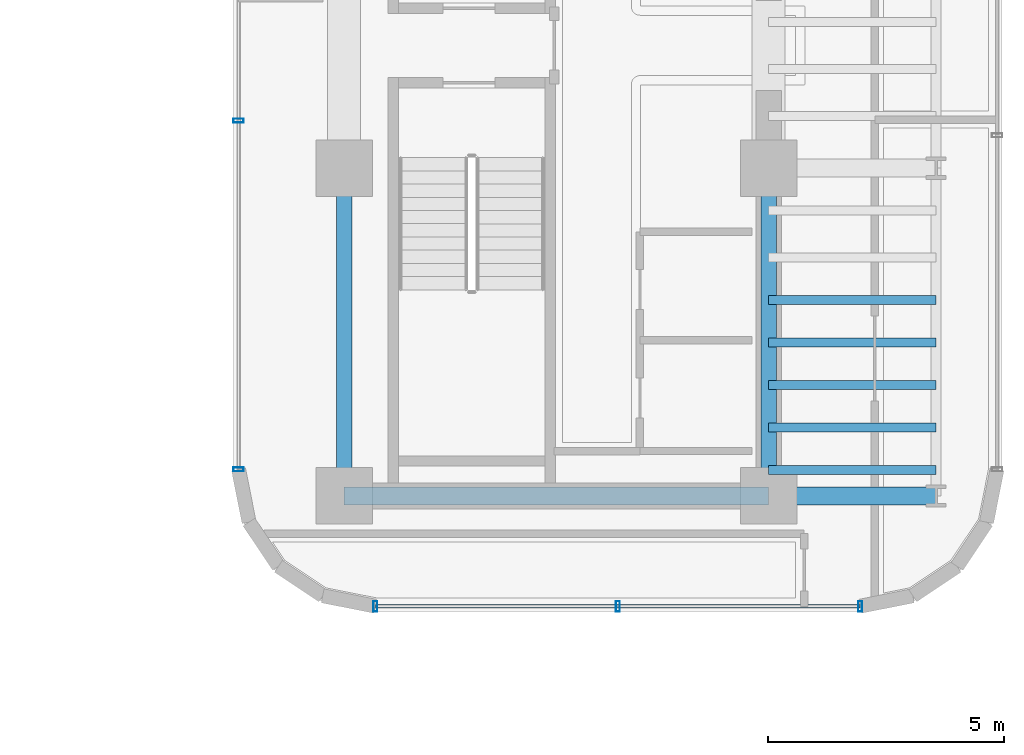
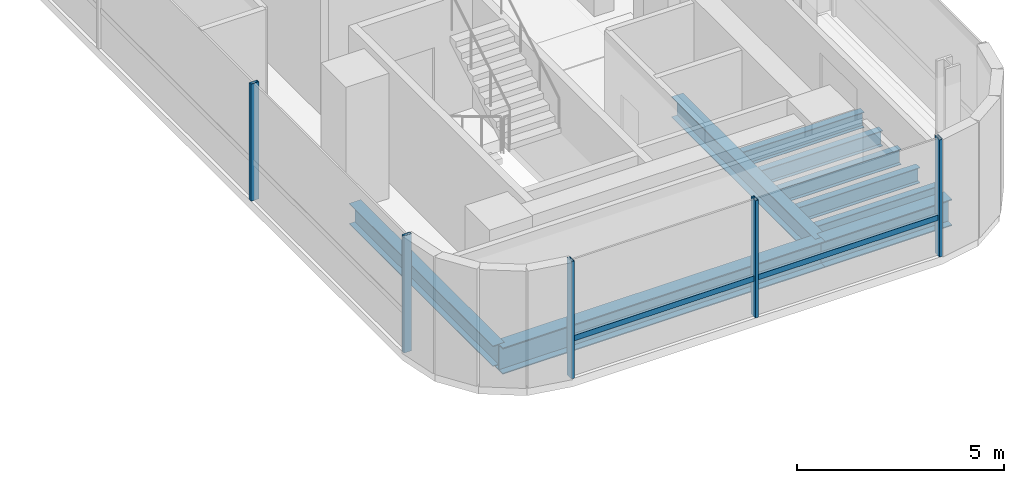
# One storey, part 13 of 34: 9 beams, 6 members, 2 elements without a shape of their own.
"""IFC4 building model written with IfcOpenShell, lengths in metres."""

from ifc_helpers import new_model, si_unit, direction, frame, origin, origin_2d, place, context, subcontext, project, spatial, hollow_rectangle, i_section, extrude, source, transform, mapped, material, material_profile, profile_set, type_object, element, aggregate, save


model = new_model("IFC4")

# Units and contexts
model_context = context("Model", 3, precision=1e-05, world=origin(), true_north=direction((0.0, 1.0)))
body_context = subcontext(model_context, "Body", "Model", "MODEL_VIEW")
ifc_project = project(units=[si_unit("LENGTHUNIT", "METRE"), si_unit("AREAUNIT", "SQUARE_METRE"), si_unit("VOLUMEUNIT", "CUBIC_METRE"), si_unit("PLANEANGLEUNIT", "RADIAN"), si_unit("MASSUNIT", "GRAM", prefix="KILO")], contexts=[model_context])

# Site, building, storey
site_placement = place(None, origin())
site = spatial("IfcSite", under=ifc_project, at=site_placement, CompositionType="ELEMENT")
building_placement = place(site_placement, origin())
building = spatial("IfcBuilding", under=site, at=building_placement, Name="Valdorenza Pilgrim Sanctuary Tower", CompositionType="ELEMENT")
storey_placement = place(building_placement, frame((0.0, 0.0, 161.199951171875)))
storey = spatial("IfcBuildingStorey", under=building, at=storey_placement, Name="L41", CompositionType="ELEMENT", Elevation=161.199951171875)

# Beams
ifc_material_1 = material(Name="Steel ASTM A992 Grade 50", Category="steel")
ifc_material_profile_1 = material_profile(ifc_material_1, i_section(OverallWidth=0.323974609375, OverallDepth=0.611083984375, WebThickness=0.0126953125, FlangeThickness=0.01904296875, at=origin_2d()), Name="W24X104")
ifc_profile_set_1 = profile_set([ifc_material_profile_1], Name="Steel ASTM A992 Grade 50")
beam_type_1 = type_object("IfcBeamType", Name="STR-BM-GRD-W24B", PredefinedType="BEAM", material=ifc_profile_set_1)
shared_shape_1 = source(origin(), body_context, "Body", "SweptSolid", [
    extrude(i_section(OverallWidth=0.323974609375, OverallDepth=0.611083984375, WebThickness=0.0126953125, FlangeThickness=0.01904296875, at=origin_2d()), origin(), (0.0, 0.0, 1.0), 6.949951171875),
])
for number, where, z_axis, x_axis, name in (
    (1, (15.85009765625, -9.550048828125, -0.54541015625), (0.0, 1.0, 0.0), (-1.0, 0.0, 0.0), "L41 Core Tie Girder CB-W-S1M0"),
    (2, (24.85009765625, -9.550048828125, -0.54541015625), (0.0, 1.0, 0.0), (-1.0, 0.0, 0.0), "L41 Core Tie Girder CB-E-S1M0"),
):
    element("IfcBeam", number, at=place(storey_placement, frame(where, z_axis=z_axis, x_axis=x_axis)), inside=storey, type_object=beam_type_1, Name=name, PredefinedType="BEAM", context=body_context, shape_type="MappedRepresentation", body=[
        mapped(shared_shape_1, transform((0.0, 0.0, 0.0), x_axis=(1.0, 0.0, 0.0), y_axis=(0.0, 1.0, 0.0), z_axis=(0.0, 0.0, 1.0), scale=1.0)),
    ])
ifc_material_profile_2 = material_profile(ifc_material_1, i_section(OverallWidth=0.382080078125, OverallDepth=0.779052734375, WebThickness=0.01806640625, FlangeThickness=0.030029296875, at=origin_2d()), Name="W30X191")
ifc_profile_set_2 = profile_set([ifc_material_profile_2], Name="Steel ASTM A992 Grade 50")
beam_type_2 = type_object("IfcBeamType", Name="STR-BM-GRD-W30", PredefinedType="BEAM", material=ifc_profile_set_2)
shared_shape_2 = source(origin(), body_context, "Body", "SweptSolid", [
    extrude(i_section(OverallWidth=0.382080078125, OverallDepth=0.779052734375, WebThickness=0.01806640625, FlangeThickness=0.030029296875, at=origin_2d()), origin(), (0.0, 0.0, 1.0), 9.0),
])
beam_1_placement = place(storey_placement, frame((15.85009765625, -9.550048828125, -0.62939453125), z_axis=(1.0, 0.0, 0.0), x_axis=(0.0, 1.0, 0.0)))
element("IfcBeam", 3, at=beam_1_placement, inside=storey, type_object=beam_type_2, Name="L41 Floor Girder CB-XC-S1", PredefinedType="BEAM", context=body_context, shape_type="MappedRepresentation", body=[
    mapped(shared_shape_2, transform((0.0, 0.0, 0.0), x_axis=(1.0, 0.0, 0.0), y_axis=(0.0, 1.0, 0.0), z_axis=(0.0, 0.0, 1.0), scale=1.0)),
])
shared_shape_3 = source(origin(), body_context, "Body", "SweptSolid", [
    extrude(i_section(OverallWidth=0.382080078125, OverallDepth=0.779052734375, WebThickness=0.01806640625, FlangeThickness=0.030029296875, at=origin_2d()), origin(), (0.0, 0.0, 1.0), 3.5498046875),
])
beam_2_placement = place(storey_placement, frame((24.85009765625, -9.550048828125, -0.62939453125), z_axis=(1.0, 0.0, 0.0), x_axis=(0.0, 1.0, 0.0)))
element("IfcBeam", 4, at=beam_2_placement, inside=storey, type_object=beam_type_2, Name="L41 Floor Girder WB-XE-S1", PredefinedType="BEAM", context=body_context, shape_type="MappedRepresentation", body=[
    mapped(shared_shape_3, transform((0.0, 0.0, 0.0), x_axis=(1.0, 0.0, 0.0), y_axis=(0.0, 1.0, 0.0), z_axis=(0.0, 0.0, 1.0), scale=1.0)),
])
ifc_material_profile_3 = material_profile(ifc_material_1, i_section(OverallWidth=0.19091796875, OverallDepth=0.45703125, WebThickness=0.009033203125, FlangeThickness=0.014404296875, at=origin_2d()), Name="W18X50")
ifc_profile_set_3 = profile_set([ifc_material_profile_3], Name="Steel ASTM A992 Grade 50")
beam_type_3 = type_object("IfcBeamType", Name="STR-BM-JST-W18B", PredefinedType="JOIST", material=ifc_profile_set_3)
shared_shape_4 = source(origin(), body_context, "Body", "SweptSolid", [
    extrude(i_section(OverallWidth=0.19091796875, OverallDepth=0.45703125, WebThickness=0.009033203125, FlangeThickness=0.014404296875, at=origin_2d()), origin(), (0.0, 0.0, 1.0), 3.5498046875),
])
for number, where, z_axis, x_axis, name in (
    (5, (24.85009765625, -9.0, -0.468505859375), (1.0, 0.0, 0.0), (0.0, 1.0, 0.0), "L41 Composite Floor Joist JST-WB-1"),
    (6, (24.85009765625, -8.10009765625, -0.468505859375), (1.0, 0.0, 0.0), (0.0, 1.0, 0.0), "L41 Composite Floor Joist JST-WB-2"),
    (7, (24.85009765625, -7.199951171875, -0.468505859375), (1.0, 0.0, 0.0), (0.0, 1.0, 0.0), "L41 Composite Floor Joist JST-WB-3"),
    (8, (24.85009765625, -6.300048828125, -0.468505859375), (1.0, 0.0, 0.0), (0.0, 1.0, 0.0), "L41 Composite Floor Joist JST-WB-4"),
    (9, (24.85009765625, -5.39990234375, -0.468505859375), (1.0, 0.0, 0.0), (0.0, 1.0, 0.0), "L41 Composite Floor Joist JST-WB-5"),
):
    element("IfcBeam", number, at=place(storey_placement, frame(where, z_axis=z_axis, x_axis=x_axis)), inside=storey, type_object=beam_type_3, Name=name, PredefinedType="JOIST", context=body_context, shape_type="MappedRepresentation", body=[
        mapped(shared_shape_4, transform((0.0, 0.0, 0.0), x_axis=(1.0, 0.0, 0.0), y_axis=(0.0, 1.0, 0.0), z_axis=(0.0, 0.0, 1.0), scale=1.0)),
    ])

# Curtain wall, members
ifc_material_2 = material(Name="Curtain-wall IGU glazing", Category="glass")
curtain_wall_type = type_object("IfcCurtainWallType", Name="CW-SYS-03", PredefinedType="NOTDEFINED", material=ifc_material_2)
curtain_wall_1_placement = place(storey_placement, origin())
curtain_wall_1 = element("IfcCurtainWall", 10, at=curtain_wall_1_placement, inside=storey, type_object=curtain_wall_type, Name="L41 Curtain Wall CW-L41-2-1", PredefinedType="NOTDEFINED")
ifc_material_3 = material(Name="Anodised aluminium AW-6060", Category="aluminium")
ifc_material_profile_4 = material_profile(ifc_material_3, hollow_rectangle(XDim=0.0849609375, YDim=0.219970703125, WallThickness=0.0048828125, at=origin_2d()), Name="ALU-M 220x85x5")
ifc_profile_set_4 = profile_set([ifc_material_profile_4], Name="Anodised aluminium AW-6060")
member_type_1 = type_object("IfcMemberType", Name="CW-MUL-03", PredefinedType="MULLION", material=ifc_profile_set_4)
shared_shape_5 = source(origin(), body_context, "Body", "SweptSolid", [
    extrude(hollow_rectangle(XDim=0.0849609375, YDim=0.219970703125, WallThickness=0.0048828125, at=origin_2d()), origin(), (0.0, 0.0, 1.0), 3.4599609375),
])
member_1_placement = place(storey_placement, frame((13.610107421875, -8.9892578125, 0.0), z_axis=(0.0, 0.0, 1.0), x_axis=(0.0, 1.0, 0.0)))
member_1 = element("IfcMember", 11, at=member_1_placement, type_object=member_type_1, Name="CW-L41-2-1 Mullion 1", PredefinedType="MULLION", context=body_context, shape_type="MappedRepresentation", body=[
    mapped(shared_shape_5, transform((0.0, 0.0, 0.0), x_axis=(1.0, 0.0, 0.0), y_axis=(0.0, 1.0, 0.0), z_axis=(0.0, 0.0, 1.0), scale=1.0)),
])
member_2_placement = place(storey_placement, frame((13.610107421875, -1.593017578125, 0.0), z_axis=(0.0, 0.0, 1.0), x_axis=(0.0, 1.0, 0.0)))
member_2 = element("IfcMember", 12, at=member_2_placement, type_object=member_type_1, Name="CW-L41-2-1 Mullion 2", PredefinedType="MULLION", context=body_context, shape_type="MappedRepresentation", body=[
    mapped(shared_shape_5, transform((0.0, 0.0, 0.0), x_axis=(1.0, 0.0, 0.0), y_axis=(0.0, 1.0, 0.0), z_axis=(0.0, 0.0, 1.0), scale=1.0)),
])
aggregate(curtain_wall_1, [member_1, member_2])

curtain_wall_2_placement = place(storey_placement, origin())
curtain_wall_2 = element("IfcCurtainWall", 13, at=curtain_wall_2_placement, inside=storey, type_object=curtain_wall_type, Name="L41 Curtain Wall CW-L41-2-16", PredefinedType="NOTDEFINED")
member_3_placement = place(storey_placement, frame((26.789306640625, -11.889892578125, 0.0), z_axis=(0.0, 0.0, 1.0), x_axis=(-1.0, 0.0, 0.0)))
member_3 = element("IfcMember", 14, at=member_3_placement, type_object=member_type_1, Name="CW-L41-2-16 Mullion 1", PredefinedType="MULLION", context=body_context, shape_type="MappedRepresentation", body=[
    mapped(shared_shape_5, transform((0.0, 0.0, 0.0), x_axis=(1.0, 0.0, 0.0), y_axis=(0.0, 1.0, 0.0), z_axis=(0.0, 0.0, 1.0), scale=1.0)),
])
member_4_placement = place(storey_placement, frame((21.64990234375, -11.889892578125, 0.0), z_axis=(0.0, 0.0, 1.0), x_axis=(-1.0, 0.0, 0.0)))
member_4 = element("IfcMember", 15, at=member_4_placement, type_object=member_type_1, Name="CW-L41-2-16 Mullion 2", PredefinedType="MULLION", context=body_context, shape_type="MappedRepresentation", body=[
    mapped(shared_shape_5, transform((0.0, 0.0, 0.0), x_axis=(1.0, 0.0, 0.0), y_axis=(0.0, 1.0, 0.0), z_axis=(0.0, 0.0, 1.0), scale=1.0)),
])
member_5_placement = place(storey_placement, frame((16.5107421875, -11.889892578125, 0.0), z_axis=(0.0, 0.0, 1.0), x_axis=(-1.0, 0.0, 0.0)))
member_5 = element("IfcMember", 16, at=member_5_placement, type_object=member_type_1, Name="CW-L41-2-16 Mullion 3", PredefinedType="MULLION", context=body_context, shape_type="MappedRepresentation", body=[
    mapped(shared_shape_5, transform((0.0, 0.0, 0.0), x_axis=(1.0, 0.0, 0.0), y_axis=(0.0, 1.0, 0.0), z_axis=(0.0, 0.0, 1.0), scale=1.0)),
])
ifc_material_profile_5 = material_profile(ifc_material_3, hollow_rectangle(XDim=0.074951171875, YDim=0.159912109375, WallThickness=0.00390625, at=origin_2d()), Name="ALU-T 160x75x4")
ifc_profile_set_5 = profile_set([ifc_material_profile_5], Name="Anodised aluminium AW-6060")
member_type_2 = type_object("IfcMemberType", Name="CW-TRN-03", PredefinedType="USERDEFINED", material=ifc_profile_set_5)
shared_shape_6 = source(origin(), body_context, "Body", "SweptSolid", [
    extrude(hollow_rectangle(XDim=0.074951171875, YDim=0.159912109375, WallThickness=0.00390625, at=origin_2d()), origin(), (0.0, 0.0, 1.0), 10.278564453125),
])
member_6_placement = place(storey_placement, frame((26.789306640625, -11.889892578125, 1.1201171875), z_axis=(-1.0, 0.0, 0.0), x_axis=(0.0, -1.0, 0.0)))
member_6 = element("IfcMember", 17, at=member_6_placement, type_object=member_type_2, Name="CW-L41-2-16 Transom 1", ObjectType="TRANSOM", PredefinedType="USERDEFINED", context=body_context, shape_type="MappedRepresentation", body=[
    mapped(shared_shape_6, transform((0.0, 0.0, 0.0), x_axis=(1.0, 0.0, 0.0), y_axis=(0.0, 1.0, 0.0), z_axis=(0.0, 0.0, 1.0), scale=1.0)),
])
aggregate(curtain_wall_2, [member_3, member_4, member_5, member_6])

save(model, "model.ifc")
